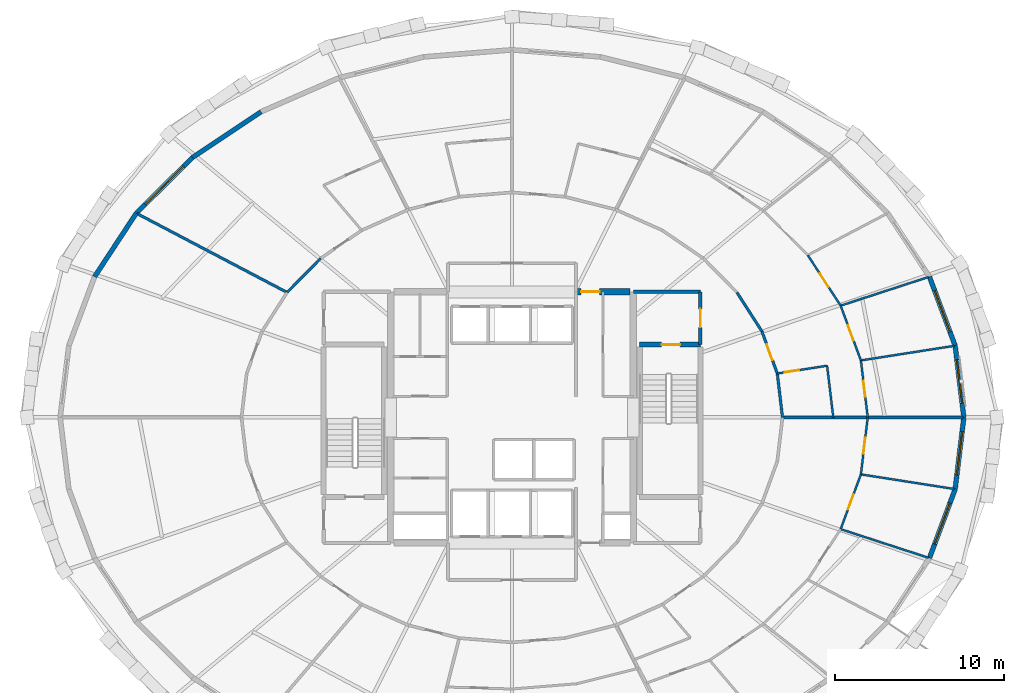
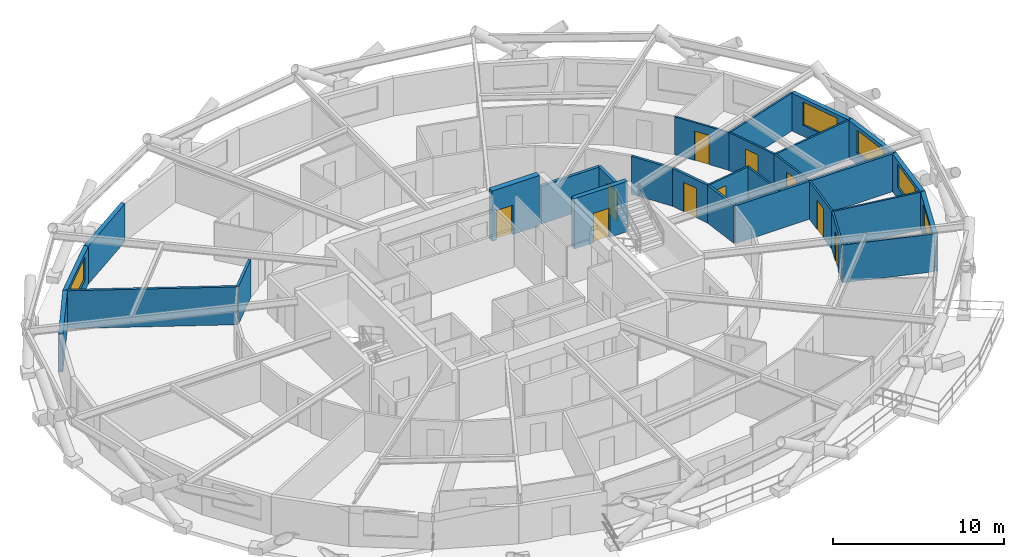
# One storey, part 10 of 14: 28 walls, 10 doors, 5 windows, 15 openings.
"""IFC4 building model written with IfcOpenShell, lengths in metres."""

import ifcopenshell
import ifcopenshell.guid

model = None  # the IFC model being written
_history = None  # IfcOwnerHistory: only IFC2X3 demands one
_inside = {}  # id of a spatial element -> (the spatial element, [elements in it])
_under = {}  # id of a project, library or spatial element -> (it, [spatial elements below it])
_declared = {}  # id of a project -> (the project, [libraries it declares])
_typed = {}  # id of a type object -> (the type object, [elements of that type])
_made_of = {}  # id of a material, layer set ... -> (it, [elements and type objects made of it])


def new_model(schema):
    """Start an empty IFC model of exactly this schema.

    Asked for "IFC4X3", IfcOpenShell would pick the latest addendum, in which some entities
    have other attributes; the version numbers below select the first issue.
    IFC2X3 requires an IfcOwnerHistory on every rooted entity: one is made here for all.
    """
    global model, _history
    if schema == "IFC4X3":
        model = ifcopenshell.file(schema_version=(4, 3, 0, 0))
    else:
        model = ifcopenshell.file(schema=schema)
    _inside.clear()
    _under.clear()
    _declared.clear()
    _typed.clear()
    _made_of.clear()
    _history = None
    if model.schema == "IFC2X3":
        org = make("IfcOrganization", Name="unknown")
        user = make(
            "IfcPersonAndOrganization",
            ThePerson=make("IfcPerson", FamilyName="unknown"),
            TheOrganization=org,
        )
        app = make(
            "IfcApplication",
            ApplicationDeveloper=org,
            Version="unknown",
            ApplicationFullName="unknown",
            ApplicationIdentifier="unknown",
        )
        _history = make(
            "IfcOwnerHistory",
            OwningUser=user,
            OwningApplication=app,
            ChangeAction="ADDED",
            CreationDate=0,
        )
    return model


def make(cls, **values):
    """One entity of the class cls with the attributes given. An attribute that is None is left unset."""
    return model.create_entity(
        cls, **{name: value for name, value in values.items() if value is not None}
    )


def rooted(cls, **values):
    """An entity with a GlobalId (a new one), such as an element, a storey or a relation."""
    return make(cls, GlobalId=ifcopenshell.guid.new(), OwnerHistory=_history, **values)


def si_unit(unit_type, name, prefix=None):
    """IfcSIUnit, for example si_unit("LENGTHUNIT", "METRE", prefix="MILLI")."""
    return make("IfcSIUnit", UnitType=unit_type, Prefix=prefix, Name=name)


def assignment(units):
    """IfcUnitAssignment: the units of a project."""
    return None if units is None else make("IfcUnitAssignment", Units=units)


def point(xyz):
    """IfcCartesianPoint."""
    return None if xyz is None else make("IfcCartesianPoint", Coordinates=xyz)


def direction(xyz):
    """IfcDirection."""
    return None if xyz is None else make("IfcDirection", DirectionRatios=xyz)


def frame(location, z_axis=None, x_axis=None):
    """IfcAxis2Placement3D, a coordinate frame: its origin and axes. An axis left out is left unset."""
    return make(
        "IfcAxis2Placement3D",
        Location=point(location),
        Axis=direction(z_axis),
        RefDirection=direction(x_axis),
    )


def frame_2d(location, x_axis=None):
    """IfcAxis2Placement2D, a coordinate frame in the plane: its origin and x axis."""
    return make(
        "IfcAxis2Placement2D", Location=point(location), RefDirection=direction(x_axis)
    )


def origin():
    """The frame at (0, 0, 0) with its axes left unset."""
    return frame((0.0, 0.0, 0.0))


def place(relative_to, where):
    """IfcLocalPlacement: puts the frame where relative to a parent placement (None: the world)."""
    return make(
        "IfcLocalPlacement", PlacementRelTo=relative_to, RelativePlacement=where
    )


def context(
    kind, dimensions, precision=None, world=None, true_north=None, identifier=None
):
    """IfcGeometricRepresentationContext, for example the 3D "Model" context."""
    return make(
        "IfcGeometricRepresentationContext",
        ContextIdentifier=identifier,
        ContextType=kind,
        CoordinateSpaceDimension=dimensions,
        Precision=precision,
        WorldCoordinateSystem=world,
        TrueNorth=true_north,
    )


def subcontext(parent, identifier, kind, view, scale=None):
    """IfcGeometricRepresentationSubContext, for example "Body" below "Model"."""
    return make(
        "IfcGeometricRepresentationSubContext",
        ContextIdentifier=identifier,
        ContextType=kind,
        ParentContext=parent,
        TargetScale=scale,
        TargetView=view,
    )


def project(units=None, contexts=None):
    """IfcProject with its units and contexts."""
    return rooted(
        "IfcProject",
        Name="project",
        RepresentationContexts=contexts,
        UnitsInContext=assignment(units),
    )


def spatial(cls, under=None, at=None, **own):
    """A site, building, storey or space (cls), placed at a placement, below another one or the project."""
    s = rooted(cls, ObjectPlacement=at, **own)
    if under is not None:
        _under.setdefault(under.id(), (under, []))[1].append(s)
    return s


def profile(cls, at=None, kind="AREA", **sizes):
    """A parametric profile (cls). Its sizes go by their IFC names, for example OverallWidth=200.0."""
    return make(cls, ProfileType=kind, Position=at, **sizes)


def rectangle(**sizes):
    """IfcRectangleProfileDef."""
    return profile("IfcRectangleProfileDef", **sizes)


def extrude(swept, where, along, depth):
    """IfcExtrudedAreaSolid: the profile swept, set in the frame where, extruded along a direction by depth."""
    return make(
        "IfcExtrudedAreaSolid",
        SweptArea=swept,
        Position=where,
        ExtrudedDirection=direction(along),
        Depth=depth,
    )


def shape(context_of_items, identifier, shape_type, items):
    """IfcShapeRepresentation: the items that make up one representation, for example the "Body"."""
    return make(
        "IfcShapeRepresentation",
        ContextOfItems=context_of_items,
        RepresentationIdentifier=identifier,
        RepresentationType=shape_type,
        Items=items,
    )


def material(Name=None, Category=None):
    """IfcMaterial."""
    return make("IfcMaterial", Name=Name, Category=Category)


def layer(
    of_material, thickness, ventilated=None, Name=None, Category=None, Priority=None
):
    """IfcMaterialLayer: one layer of a wall or slab, of a material (None: an air gap)."""
    return make(
        "IfcMaterialLayer",
        Material=of_material,
        LayerThickness=thickness,
        IsVentilated=ventilated,
        Name=Name,
        Category=Category,
        Priority=Priority,
    )


def layer_set(layers, Name=None):
    """IfcMaterialLayerSet."""
    return make("IfcMaterialLayerSet", MaterialLayers=layers, LayerSetName=Name)


def made_of(thing, what):
    """Note that an element or type object is made of a material, layer set ...; save() writes the relation."""
    if what is not None:
        _made_of.setdefault(what.id(), (what, []))[1].append(thing)
    return thing


def type_object(cls, material=None, **own):
    """A type object (cls), such as IfcWallType, which elements share."""
    return made_of(rooted(cls, **own), material)


def element(
    cls,
    number,
    at=None,
    inside=None,
    cuts=None,
    type_object=None,
    material=None,
    context=None,
    identifier="Body",
    shape_type=None,
    held_by="IfcProductDefinitionShape",
    body=None,
    shapes=None,
    **own,
):
    """One element of the class cls, such as IfcWall. Its Tag is "e" and its number.

    at: its placement. inside: the storey or other place that contains it. cuts: it is an
    opening in that element (IfcRelVoidsElement). A single representation is given by context,
    identifier, shape_type and body (its items); several are given by shapes. held_by: the class
    of the entity that holds the representations. save() writes the other relations.
    """
    e = rooted(cls, Tag="e%d" % number, ObjectPlacement=at, **own)
    if body is not None:
        shapes = [shape(context, identifier, shape_type, body)]
    if shapes is not None:
        e.Representation = make(held_by, Representations=shapes)
    if inside is not None:
        _inside.setdefault(inside.id(), (inside, []))[1].append(e)
    if cuts is not None:
        rooted(
            "IfcRelVoidsElement", RelatingBuildingElement=cuts, RelatedOpeningElement=e
        )
    if type_object is not None:
        _typed.setdefault(type_object.id(), (type_object, []))[1].append(e)
    return made_of(e, material)


def fill(opening, filler):
    """IfcRelFillsElement: the door or window that sits in an opening."""
    return rooted(
        "IfcRelFillsElement",
        RelatingOpeningElement=opening,
        RelatedBuildingElement=filler,
    )


def aggregate(whole, parts):
    """IfcRelAggregates: a whole, such as a stair, and the parts it consists of."""
    return rooted("IfcRelAggregates", RelatingObject=whole, RelatedObjects=parts)


def save(model, path):
    """Write the relations noted so far, then the file.

    IfcRelAggregates (storeys below a building ...), IfcRelContainedInSpatialStructure (elements
    in a storey), IfcRelDefinesByType, IfcRelAssociatesMaterial and IfcRelDeclares: one each for
    every whole, place, type object, material and project.
    """
    for whole, parts in _under.values():
        aggregate(whole, parts)
    for where, things in _inside.values():
        rooted(
            "IfcRelContainedInSpatialStructure",
            RelatedElements=things,
            RelatingStructure=where,
        )
    for kind, things in _typed.values():
        rooted("IfcRelDefinesByType", RelatedObjects=things, RelatingType=kind)
    for what, things in _made_of.values():
        rooted("IfcRelAssociatesMaterial", RelatedObjects=things, RelatingMaterial=what)
    for by, libraries in _declared.values():
        rooted("IfcRelDeclares", RelatingContext=by, RelatedDefinitions=libraries)
    model.write(path)


model = new_model("IFC4")

# Units and contexts
model_context = context("Model", 3, precision=1e-05, world=origin(), true_north=direction((0.0, 1.0)))
body_context = subcontext(model_context, "Body", "Model", "MODEL_VIEW")
ifc_project = project(units=[si_unit("LENGTHUNIT", "METRE"), si_unit("AREAUNIT", "SQUARE_METRE"), si_unit("VOLUMEUNIT", "CUBIC_METRE"), si_unit("PLANEANGLEUNIT", "RADIAN"), si_unit("MASSUNIT", "GRAM", prefix="KILO")], contexts=[model_context])

# Site, building, storey
site_placement = place(None, origin())
site = spatial("IfcSite", under=ifc_project, at=site_placement, CompositionType="ELEMENT")
building_placement = place(site_placement, origin())
building = spatial("IfcBuilding", under=site, at=building_placement, Name="Veldorina Hangang Commons", CompositionType="ELEMENT")
storey_placement = place(building_placement, frame((0.0, 0.0, 62.800048828125)))
storey = spatial("IfcBuildingStorey", under=building, at=storey_placement, Name="L15", CompositionType="ELEMENT", Elevation=62.800048828125)

# Wall, opening, door
ifc_material_1 = material(Name="Concrete C70/85", Category="concrete")
ifc_layer_1 = layer(ifc_material_1, 0.3798828125)
ifc_layer_set_1 = layer_set([ifc_layer_1], Name="Concrete C70/85")
wall_type_1 = type_object("IfcWallType", Name="CW-RC380-C70", PredefinedType="SHEAR", material=ifc_layer_set_1)
wall_1_placement = place(storey_placement, frame((35.800048828125, 31.449951171875, 0.0), z_axis=(0.0, 0.0, 1.0), x_axis=(1.0, 0.0, 0.0)))
wall_1 = element("IfcWall", 1, at=wall_1_placement, inside=storey, type_object=wall_type_1, Name="L15 north-east core shear wall", PredefinedType="SHEAR", context=body_context, shape_type="SweptSolid", body=[
    extrude(rectangle(XDim=3.2099609375, YDim=0.3798828125, at=frame_2d((1.60498046875, 0.0))), origin(), (0.0, 0.0, 1.0), 3.599853515625),
])
opening_1_placement = place(wall_1_placement, frame((0.300048828125, 0.0, 0.0)))
opening_1 = element("IfcOpeningElement", 2, at=opening_1_placement, cuts=wall_1, Name="Opening D-08", PredefinedType="OPENING", context=body_context, shape_type="SweptSolid", body=[
    extrude(rectangle(XDim=1.10009765625, YDim=2.10009765625, at=frame_2d((0.550048828125, 1.050048828125))), frame((0.0, 0.199951171875, 0.0), z_axis=(0.0, -1.0, 0.0), x_axis=(1.0, 0.0, 0.0)), (0.0, 0.0, 1.0), 0.39990234375),
])
ifc_material_2 = material(Name="Steel Fire-Rated Smoke Seal", Category="steel")
door_type_1 = type_object("IfcDoorType", Name="DR-FIRE-1100", OperationType="SINGLE_SWING_RIGHT", PredefinedType="DOOR", material=ifc_material_2)
door_1_placement = place(opening_1_placement, origin())
door_1 = element("IfcDoor", 3, at=door_1_placement, inside=storey, type_object=door_type_1, Name="L15 central lift lobby north corridor door", OperationType="SINGLE_SWING_LEFT", OverallHeight=2.10009765625, OverallWidth=1.10009765625, PredefinedType="DOOR", context=body_context, shape_type="SweptSolid", body=[
    extrude(rectangle(XDim=1.10009765625, YDim=2.10009765625, at=frame_2d((0.550048828125, 1.050048828125))), frame((0.0, 0.02490234375, 0.0), z_axis=(0.0, -1.0, 0.0), x_axis=(1.0, 0.0, 0.0)), (0.0, 0.0, 1.0), 0.050048828125),
])
fill(opening_1, door_1)

# Wall, opening, window
ifc_material_3 = material(Name="Stone Roman Travertine", Category="masonry")
ifc_layer_2 = layer(ifc_material_3, 0.280029296875)
ifc_layer_set_2 = layer_set([ifc_layer_2], Name="Stone Roman Travertine")
wall_type_2 = type_object("IfcWallType", Name="EW-TRAV-280", PredefinedType="STANDARD", material=ifc_layer_set_2)
wall_2_placement = place(storey_placement, frame((58.81005859375, 24.0, 0.0), z_axis=(0.0, 0.0, 1.0), x_axis=(-0.120191871487, 0.992750680699, 0.0)))
wall_2 = element("IfcWall", 4, at=wall_2_placement, inside=storey, type_object=wall_type_2, Name="L15 travertine facade wall 00", PredefinedType="STANDARD", context=body_context, shape_type="SweptSolid", body=[
    extrude(rectangle(XDim=4.285888671875, YDim=0.280029296875, at=frame_2d((2.14306640625, 0.0))), origin(), (0.0, 0.0, 1.0), 2.7099609375),
])
opening_2_placement = place(wall_2_placement, frame((0.843017578125, 0.0, 0.800048828125)))
opening_2 = element("IfcOpeningElement", 5, at=opening_2_placement, cuts=wall_2, Name="Opening W-02", PredefinedType="OPENING", context=body_context, shape_type="SweptSolid", body=[
    extrude(rectangle(XDim=2.60009765625, YDim=1.64990234375, at=frame_2d((1.300048828125, 0.824951171875))), frame((0.0, 0.14990234375, 0.0), z_axis=(0.0, -1.0, 0.0), x_axis=(1.0, 0.0, 0.0)), (0.0, 0.0, 1.0), 0.300048828125),
])
ifc_material_4 = material(Name="Glass Low-E Triple IGU", Category="glass")
window_type_1 = type_object("IfcWindowType", Name="WIN-TWR-2600", PartitioningType="SINGLE_PANEL", PredefinedType="WINDOW", material=ifc_material_4)
window_1_placement = place(opening_2_placement, origin())
window_1 = element("IfcWindow", 6, at=window_1_placement, inside=storey, type_object=window_type_1, Name="L15 facade window 00", OverallHeight=1.64990234375, OverallWidth=2.60009765625, PartitioningType="SINGLE_PANEL", PredefinedType="WINDOW", context=body_context, shape_type="SweptSolid", body=[
    extrude(rectangle(XDim=2.60009765625, YDim=1.64990234375, at=frame_2d((1.300048828125, 0.824951171875))), frame((0.0, 0.030029296875, 0.0), z_axis=(0.0, -1.0, 0.0), x_axis=(1.0, 0.0, 0.0)), (0.0, 0.0, 1.0), 0.06005859375),
])
fill(opening_2, window_1)

wall_3_placement = place(storey_placement, frame((58.294921875, 28.2548828125, 0.0), z_axis=(0.0, 0.0, 1.0), x_axis=(-0.349376625654, 0.936982376273, 0.0)))
wall_3 = element("IfcWall", 7, at=wall_3_placement, inside=storey, type_object=wall_type_2, Name="L15 travertine facade wall 01", PredefinedType="STANDARD", context=body_context, shape_type="SweptSolid", body=[
    extrude(rectangle(XDim=4.36669921875, YDim=0.280029296875, at=frame_2d((2.183349609375, 0.0))), origin(), (0.0, 0.0, 1.0), 2.7099609375),
])
opening_3_placement = place(wall_3_placement, frame((0.88330078125, 0.0, 0.800048828125)))
opening_3 = element("IfcOpeningElement", 8, at=opening_3_placement, cuts=wall_3, Name="Opening W-02", PredefinedType="OPENING", context=body_context, shape_type="SweptSolid", body=[
    extrude(rectangle(XDim=2.60009765625, YDim=1.64990234375, at=frame_2d((1.300048828125, 0.824951171875))), frame((0.0, 0.14990234375, 0.0), z_axis=(0.0, -1.0, 0.0), x_axis=(1.0, 0.0, 0.0)), (0.0, 0.0, 1.0), 0.300048828125),
])
window_2_placement = place(opening_3_placement, origin())
window_2 = element("IfcWindow", 9, at=window_2_placement, inside=storey, type_object=window_type_1, Name="L15 facade window 01", OverallHeight=1.64990234375, OverallWidth=2.60009765625, PartitioningType="SINGLE_PANEL", PredefinedType="WINDOW", context=body_context, shape_type="SweptSolid", body=[
    extrude(rectangle(XDim=2.60009765625, YDim=1.64990234375, at=frame_2d((1.300048828125, 0.824951171875))), frame((0.0, 0.030029296875, 0.0), z_axis=(0.0, -1.0, 0.0), x_axis=(1.0, 0.0, 0.0)), (0.0, 0.0, 1.0), 0.06005859375),
])
fill(opening_3, window_2)

# Wall
wall_4_placement = place(storey_placement, frame((17.10498046875, 42.134521484375, 0.0), z_axis=(0.0, 0.0, 1.0), x_axis=(-0.831665633672, -0.555276754213, 0.0)))
element("IfcWall", 10, at=wall_4_placement, inside=storey, type_object=wall_type_2, Name="L15 travertine facade wall 11", PredefinedType="STANDARD", context=body_context, shape_type="SweptSolid", body=[
    extrude(rectangle(XDim=4.884765625, YDim=0.280029296875, at=frame_2d((2.4423828125, 0.0))), origin(), (0.0, 0.0, 1.0), 2.7099609375),
])

# Wall, opening, window
wall_5_placement = place(storey_placement, frame((13.04248046875, 39.422119140625, 0.0), z_axis=(0.0, 0.0, 1.0), x_axis=(-0.710194142887, -0.704005880238, 0.0)))
wall_5 = element("IfcWall", 11, at=wall_5_placement, inside=storey, type_object=wall_type_2, Name="L15 travertine facade wall 12", PredefinedType="STANDARD", context=body_context, shape_type="SweptSolid", body=[
    extrude(rectangle(XDim=4.69482421875, YDim=0.280029296875, at=frame_2d((2.347412109375, 0.0))), origin(), (0.0, 0.0, 1.0), 2.7099609375),
])
opening_4_placement = place(wall_5_placement, frame((0.747314453125, 0.0, 0.800048828125)))
opening_4 = element("IfcOpeningElement", 12, at=opening_4_placement, cuts=wall_5, Name="Opening W-01", PredefinedType="OPENING", context=body_context, shape_type="SweptSolid", body=[
    extrude(rectangle(XDim=3.199951171875, YDim=1.64990234375, at=frame_2d((1.60009765625, 0.824951171875))), frame((0.0, 0.14990234375, 0.0), z_axis=(0.0, -1.0, 0.0), x_axis=(1.0, 0.0, 0.0)), (0.0, 0.0, 1.0), 0.300048828125),
])
window_type_2 = type_object("IfcWindowType", Name="WIN-TWR-3200", PartitioningType="SINGLE_PANEL", PredefinedType="WINDOW", material=ifc_material_4)
window_3_placement = place(opening_4_placement, origin())
window_3 = element("IfcWindow", 13, at=window_3_placement, inside=storey, type_object=window_type_2, Name="L15 facade window 12", OverallHeight=1.64990234375, OverallWidth=3.199951171875, PartitioningType="SINGLE_PANEL", PredefinedType="WINDOW", context=body_context, shape_type="SweptSolid", body=[
    extrude(rectangle(XDim=3.199951171875, YDim=1.64990234375, at=frame_2d((1.60009765625, 0.824951171875))), frame((0.0, 0.030029296875, 0.0), z_axis=(0.0, -1.0, 0.0), x_axis=(1.0, 0.0, 0.0)), (0.0, 0.0, 1.0), 0.06005859375),
])
fill(opening_4, window_3)

# Wall
wall_6_placement = place(storey_placement, frame((9.708251953125, 36.116943359375, 0.0), z_axis=(0.0, 0.0, 1.0), x_axis=(-0.54914333256, -0.835728185659, 0.0)))
element("IfcWall", 14, at=wall_6_placement, inside=storey, type_object=wall_type_2, Name="L15 travertine facade wall 13", PredefinedType="STANDARD", context=body_context, shape_type="SweptSolid", body=[
    extrude(rectangle(XDim=4.51171875, YDim=0.280029296875, at=frame_2d((2.255859375, 0.0))), origin(), (0.0, 0.0, 1.0), 2.7099609375),
])

# Wall, opening, window
wall_7_placement = place(storey_placement, frame((56.769287109375, 15.653564453125, 0.0), z_axis=(0.0, 0.0, 1.0), x_axis=(0.349376625654, 0.936982376273, 0.0)))
wall_7 = element("IfcWall", 15, at=wall_7_placement, inside=storey, type_object=wall_type_2, Name="L15 travertine facade wall 30", PredefinedType="STANDARD", context=body_context, shape_type="SweptSolid", body=[
    extrude(rectangle(XDim=4.36669921875, YDim=0.280029296875, at=frame_2d((2.183349609375, 0.0))), origin(), (0.0, 0.0, 1.0), 2.7099609375),
])
opening_5_placement = place(wall_7_placement, frame((0.88330078125, 0.0, 0.800048828125)))
opening_5 = element("IfcOpeningElement", 16, at=opening_5_placement, cuts=wall_7, Name="Opening W-02", PredefinedType="OPENING", context=body_context, shape_type="SweptSolid", body=[
    extrude(rectangle(XDim=2.60009765625, YDim=1.64990234375, at=frame_2d((1.300048828125, 0.824951171875))), frame((0.0, 0.14990234375, 0.0), z_axis=(0.0, -1.0, 0.0), x_axis=(1.0, 0.0, 0.0)), (0.0, 0.0, 1.0), 0.300048828125),
])
window_4_placement = place(opening_5_placement, origin())
window_4 = element("IfcWindow", 17, at=window_4_placement, inside=storey, type_object=window_type_1, Name="L15 facade window 30", OverallHeight=1.64990234375, OverallWidth=2.60009765625, PartitioningType="SINGLE_PANEL", PredefinedType="WINDOW", context=body_context, shape_type="SweptSolid", body=[
    extrude(rectangle(XDim=2.60009765625, YDim=1.64990234375, at=frame_2d((1.300048828125, 0.824951171875))), frame((0.0, 0.030029296875, 0.0), z_axis=(0.0, -1.0, 0.0), x_axis=(1.0, 0.0, 0.0)), (0.0, 0.0, 1.0), 0.06005859375),
])
fill(opening_5, window_4)

wall_8_placement = place(storey_placement, frame((58.294921875, 19.7451171875, 0.0), z_axis=(0.0, 0.0, 1.0), x_axis=(0.120191871487, 0.992750680699, 0.0)))
wall_8 = element("IfcWall", 18, at=wall_8_placement, inside=storey, type_object=wall_type_2, Name="L15 travertine facade wall 31", PredefinedType="STANDARD", context=body_context, shape_type="SweptSolid", body=[
    extrude(rectangle(XDim=4.285888671875, YDim=0.280029296875, at=frame_2d((2.14306640625, 0.0))), origin(), (0.0, 0.0, 1.0), 2.7099609375),
])
opening_6_placement = place(wall_8_placement, frame((0.843017578125, 0.0, 0.800048828125)))
opening_6 = element("IfcOpeningElement", 19, at=opening_6_placement, cuts=wall_8, Name="Opening W-02", PredefinedType="OPENING", context=body_context, shape_type="SweptSolid", body=[
    extrude(rectangle(XDim=2.60009765625, YDim=1.64990234375, at=frame_2d((1.300048828125, 0.824951171875))), frame((0.0, 0.14990234375, 0.0), z_axis=(0.0, -1.0, 0.0), x_axis=(1.0, 0.0, 0.0)), (0.0, 0.0, 1.0), 0.300048828125),
])
window_5_placement = place(opening_6_placement, origin())
window_5 = element("IfcWindow", 20, at=window_5_placement, inside=storey, type_object=window_type_1, Name="L15 facade window 31", OverallHeight=1.64990234375, OverallWidth=2.60009765625, PartitioningType="SINGLE_PANEL", PredefinedType="WINDOW", context=body_context, shape_type="SweptSolid", body=[
    extrude(rectangle(XDim=2.60009765625, YDim=1.64990234375, at=frame_2d((1.300048828125, 0.824951171875))), frame((0.0, 0.030029296875, 0.0), z_axis=(0.0, -1.0, 0.0), x_axis=(1.0, 0.0, 0.0)), (0.0, 0.0, 1.0), 0.06005859375),
])
fill(opening_6, window_5)

# Wall, opening, door
ifc_material_5 = material(Name="Concrete C50/60", Category="concrete")
ifc_layer_3 = layer(ifc_material_5, 0.300048828125)
ifc_layer_set_3 = layer_set([ifc_layer_3], Name="Concrete C50/60")
wall_type_3 = type_object("IfcWallType", Name="SW-STAIR-300", PredefinedType="SHEAR", material=ifc_layer_set_3)
wall_9_placement = place(storey_placement, frame((39.580078125, 28.320068359375, 0.0), z_axis=(0.0, 0.0, 1.0), x_axis=(1.0, 0.0, 0.0)))
wall_9 = element("IfcWall", 21, at=wall_9_placement, inside=storey, type_object=wall_type_3, Name="L15 ST2 north stair shear wall", PredefinedType="SHEAR", context=body_context, shape_type="SweptSolid", body=[
    extrude(rectangle(XDim=3.599853515625, YDim=0.300048828125, at=frame_2d((1.7998046875, 0.0))), origin(), (0.0, 0.0, 1.0), 3.599853515625),
])
opening_7_placement = place(wall_9_placement, frame((1.300048828125, 0.0, 0.0)))
opening_7 = element("IfcOpeningElement", 22, at=opening_7_placement, cuts=wall_9, Name="Opening D-08", PredefinedType="OPENING", context=body_context, shape_type="SweptSolid", body=[
    extrude(rectangle(XDim=1.10009765625, YDim=2.10009765625, at=frame_2d((0.550048828125, 1.050048828125))), frame((0.0, 0.16015625, 0.0), z_axis=(0.0, -1.0, 0.0), x_axis=(1.0, 0.0, 0.0)), (0.0, 0.0, 1.0), 0.320068359375),
])
door_2_placement = place(opening_7_placement, origin())
door_2 = element("IfcDoor", 23, at=door_2_placement, inside=storey, type_object=door_type_1, Name="L15 Special Escape Stair ST-2 door", OperationType="SINGLE_SWING_RIGHT", OverallHeight=2.10009765625, OverallWidth=1.10009765625, PredefinedType="DOOR", context=body_context, shape_type="SweptSolid", body=[
    extrude(rectangle(XDim=1.10009765625, YDim=2.10009765625, at=frame_2d((0.550048828125, 1.050048828125))), frame((0.0, 0.02490234375, 0.0), z_axis=(0.0, -1.0, 0.0), x_axis=(1.0, 0.0, 0.0)), (0.0, 0.0, 1.0), 0.050048828125),
])
fill(opening_7, door_2)

# Wall
ifc_material_6 = material(Name="Gypsum Fire-Rated Twin Stud Wall", Category="gypsum")
ifc_layer_4 = layer(ifc_material_6, 0.159912109375)
ifc_layer_set_4 = layer_set([ifc_layer_4], Name="Gypsum Fire-Rated Twin Stud Wall")
wall_type_4 = type_object("IfcWallType", Name="WL-FIRE-160", PredefinedType="SOLIDWALL", material=ifc_layer_set_4)
wall_10_placement = place(storey_placement, frame((48.050048828125, 24.0, 0.0), z_axis=(0.0, 0.0, 1.0), x_axis=(-0.117570353762, 0.993064555765, 0.0)))
element("IfcWall", 24, at=wall_10_placement, inside=storey, type_object=wall_type_4, Name="L15 Corridor outer wall 00 048", PredefinedType="SOLIDWALL", context=body_context, shape_type="SweptSolid", body=[
    extrude(rectangle(XDim=2.622802734375, YDim=0.159912109375, at=frame_2d((1.3115234375, 0.0))), origin(), (0.0, 0.0, 1.0), 2.7099609375),
])

# Wall, opening, door
wall_11_placement = place(storey_placement, frame((47.74169921875, 26.6044921875, 0.0), z_axis=(0.0, 0.0, 1.0), x_axis=(-0.342617982381, 0.939474809747, 0.0)))
wall_11 = element("IfcWall", 25, at=wall_11_placement, inside=storey, type_object=wall_type_4, Name="L15 Corridor outer wall 01 049", PredefinedType="SOLIDWALL", context=body_context, shape_type="SweptSolid", body=[
    extrude(rectangle(XDim=2.665771484375, YDim=0.159912109375, at=frame_2d((1.3330078125, 0.0))), origin(), (0.0, 0.0, 1.0), 2.7099609375),
])
opening_8_placement = place(wall_11_placement, frame((0.832763671875, 0.0, 0.0)))
opening_8 = element("IfcOpeningElement", 26, at=opening_8_placement, cuts=wall_11, Name="Opening D-06", PredefinedType="OPENING", context=body_context, shape_type="SweptSolid", body=[
    extrude(rectangle(XDim=1.0, YDim=2.10009765625, at=frame_2d((0.5, 1.050048828125))), frame((0.0, 0.08984375, 0.0), z_axis=(0.0, -1.0, 0.0), x_axis=(1.0, 0.0, 0.0)), (0.0, 0.0, 1.0), 0.179931640625),
])
ifc_material_7 = material(Name="Timber Fire-Rated Entrance Core", Category="wood")
door_type_2 = type_object("IfcDoorType", Name="DR-UNIT-1000", OperationType="SINGLE_SWING_LEFT", PredefinedType="DOOR", material=ifc_material_7)
door_3_placement = place(opening_8_placement, origin())
door_3 = element("IfcDoor", 27, at=door_3_placement, inside=storey, type_object=door_type_2, Name="L15 Cluster 3 entrance door 031", OperationType="SINGLE_SWING_LEFT", OverallHeight=2.10009765625, OverallWidth=1.0, PredefinedType="DOOR", context=body_context, shape_type="SweptSolid", body=[
    extrude(rectangle(XDim=1.0, YDim=2.10009765625, at=frame_2d((0.5, 1.050048828125))), frame((0.0, 0.02490234375, 0.0), z_axis=(0.0, -1.0, 0.0), x_axis=(1.0, 0.0, 0.0)), (0.0, 0.0, 1.0), 0.050048828125),
])
fill(opening_8, door_3)

# Walls
wall_12_placement = place(storey_placement, frame((46.828369140625, 29.10888671875, 0.0), z_axis=(0.0, 0.0, 1.0), x_axis=(-0.540595670038, 0.841282545603, 0.0)))
element("IfcWall", 28, at=wall_12_placement, inside=storey, type_object=wall_type_4, Name="L15 Corridor outer wall 02 050", PredefinedType="SOLIDWALL", context=body_context, shape_type="SweptSolid", body=[
    extrude(rectangle(XDim=2.74365234375, YDim=0.159912109375, at=frame_2d((1.371826171875, 0.0))), origin(), (0.0, 0.0, 1.0), 2.7099609375),
])
wall_13_placement = place(storey_placement, frame((20.65087890625, 33.43994140625, 0.0), z_axis=(0.0, 0.0, 1.0), x_axis=(-0.702366174226, -0.711815816981, 0.0)))
element("IfcWall", 29, at=wall_13_placement, inside=storey, type_object=wall_type_4, Name="L15 Corridor outer wall 12 060", PredefinedType="SOLIDWALL", context=body_context, shape_type="SweptSolid", body=[
    extrude(rectangle(XDim=2.842041015625, YDim=0.159912109375, at=frame_2d((1.4208984375, 0.0))), origin(), (0.0, 0.0, 1.0), 2.7099609375),
])
wall_14_placement = place(storey_placement, frame((48.050048828125, 24.0, 0.0), z_axis=(0.0, 0.0, 1.0), x_axis=(1.0, 0.0, 0.0)))
element("IfcWall", 30, at=wall_14_placement, inside=storey, type_object=wall_type_4, Name="L15 Unit party wall 00 098", PredefinedType="SOLIDWALL", context=body_context, shape_type="SweptSolid", body=[
    extrude(rectangle(XDim=10.7099609375, YDim=0.159912109375, at=frame_2d((5.35498046875, 0.0))), origin(), (0.0, 0.0, 1.0), 2.7099609375),
])
wall_15_placement = place(storey_placement, frame((18.65478515625, 31.4169921875, 0.0), z_axis=(0.0, 0.0, 1.0), x_axis=(-0.885273971372, 0.465069882503, 0.0)))
element("IfcWall", 31, at=wall_15_placement, inside=storey, type_object=wall_type_4, Name="L15 Unit party wall 13 121", PredefinedType="SOLIDWALL", context=body_context, shape_type="SweptSolid", body=[
    extrude(rectangle(XDim=10.05615234375, YDim=0.159912109375, at=frame_2d((5.028076171875, 0.0))), origin(), (0.0, 0.0, 1.0), 2.7099609375),
])

# Wall, opening, door
ifc_material_8 = material(Name="Concrete Blockwork Fire Wall C30/37", Category="masonry")
ifc_layer_5 = layer(ifc_material_8, 0.199951171875)
ifc_layer_set_5 = layer_set([ifc_layer_5], Name="Concrete Blockwork Fire Wall C30/37")
wall_type_5 = type_object("IfcWallType", Name="WL-FIRE-200", PredefinedType="SOLIDWALL", material=ifc_layer_set_5)
wall_16_placement = place(storey_placement, frame((43.179931640625, 28.320068359375, 0.0), z_axis=(0.0, 0.0, 1.0), x_axis=(0.0, 1.0, 0.0)))
wall_16 = element("IfcWall", 32, at=wall_16_placement, inside=storey, type_object=wall_type_5, Name="L15 East vestibule outer wall 003", PredefinedType="SOLIDWALL", context=body_context, shape_type="SweptSolid", body=[
    extrude(rectangle(XDim=3.1298828125, YDim=0.199951171875, at=frame_2d((1.56494140625, 0.0))), origin(), (0.0, 0.0, 1.0), 2.7099609375),
])
opening_9_placement = place(wall_16_placement, frame((1.014892578125, 0.0, 0.0)))
opening_9 = element("IfcOpeningElement", 33, at=opening_9_placement, cuts=wall_16, Name="Opening D-08", PredefinedType="OPENING", context=body_context, shape_type="SweptSolid", body=[
    extrude(rectangle(XDim=1.10009765625, YDim=2.10009765625, at=frame_2d((0.550048828125, 1.050048828125))), frame((0.0, 0.10986328125, 0.0), z_axis=(0.0, -1.0, 0.0), x_axis=(1.0, 0.0, 0.0)), (0.0, 0.0, 1.0), 0.219970703125),
])
door_4_placement = place(opening_9_placement, origin())
door_4 = element("IfcDoor", 34, at=door_4_placement, inside=storey, type_object=door_type_1, Name="L15 East vestibule east door 002", OperationType="SINGLE_SWING_RIGHT", OverallHeight=2.10009765625, OverallWidth=1.10009765625, PredefinedType="DOOR", context=body_context, shape_type="SweptSolid", body=[
    extrude(rectangle(XDim=1.10009765625, YDim=2.10009765625, at=frame_2d((0.550048828125, 1.050048828125))), frame((0.0, 0.02490234375, 0.0), z_axis=(0.0, -1.0, 0.0), x_axis=(1.0, 0.0, 0.0)), (0.0, 0.0, 1.0), 0.050048828125),
])
fill(opening_9, door_4)

# Wall
wall_17_placement = place(storey_placement, frame((39.199951171875, 31.449951171875, 0.0), z_axis=(0.0, 0.0, 1.0), x_axis=(1.0, 0.0, 0.0)))
element("IfcWall", 35, at=wall_17_placement, inside=storey, type_object=wall_type_5, Name="L15 East vestibule north wall 004", PredefinedType="SOLIDWALL", context=body_context, shape_type="SweptSolid", body=[
    extrude(rectangle(XDim=3.97998046875, YDim=0.199951171875, at=frame_2d((1.989990234375, 0.0))), origin(), (0.0, 0.0, 1.0), 2.7099609375),
])

# Wall, opening, door
ifc_material_9 = material(Name="Gypsum Acoustic Stud Partition", Category="gypsum")
ifc_layer_6 = layer(ifc_material_9, 0.1201171875)
ifc_layer_set_6 = layer_set([ifc_layer_6], Name="Gypsum Acoustic Stud Partition")
wall_type_6 = type_object("IfcWallType", Name="WL-PART-120", PredefinedType="PARTITIONING", material=ifc_layer_set_6)
wall_18_placement = place(storey_placement, frame((51.50048828125, 17.369384765625, 0.0), z_axis=(0.0, 0.0, 1.0), x_axis=(0.346625885205, 0.938003462523, 0.0)))
wall_18 = element("IfcWall", 36, at=wall_18_placement, inside=storey, type_object=wall_type_6, Name="L15 Cluster 2 bed 5 front wall 094", PredefinedType="PARTITIONING", context=body_context, shape_type="SweptSolid", body=[
    extrude(rectangle(XDim=3.46533203125, YDim=0.1201171875, at=frame_2d((1.732666015625, 0.0))), origin(), (0.0, 0.0, 1.0), 2.7099609375),
])
opening_10_placement = place(wall_18_placement, frame((1.257568359375, 0.0, 0.0)))
opening_10 = element("IfcOpeningElement", 37, at=opening_10_placement, cuts=wall_18, Name="Opening D-02", PredefinedType="OPENING", context=body_context, shape_type="SweptSolid", body=[
    extrude(rectangle(XDim=0.949951171875, YDim=2.10009765625, at=frame_2d((0.47509765625, 1.050048828125))), frame((0.0, 0.070068359375, 0.0), z_axis=(0.0, -1.0, 0.0), x_axis=(1.0, 0.0, 0.0)), (0.0, 0.0, 1.0), 0.14013671875),
])
ifc_material_10 = material(Name="Timber Solid Core Acoustic", Category="wood")
door_type_3 = type_object("IfcDoorType", Name="DR-INT-950", OperationType="SINGLE_SWING_LEFT", PredefinedType="DOOR", material=ifc_material_10)
door_5_placement = place(opening_10_placement, origin())
door_5 = element("IfcDoor", 38, at=door_5_placement, inside=storey, type_object=door_type_3, Name="L15 Cluster 2 bed 5 door 028", OperationType="SINGLE_SWING_RIGHT", OverallHeight=2.10009765625, OverallWidth=0.949951171875, PredefinedType="DOOR", context=body_context, shape_type="SweptSolid", body=[
    extrude(rectangle(XDim=0.949951171875, YDim=2.10009765625, at=frame_2d((0.47509765625, 1.050048828125))), frame((0.0, 0.02490234375, 0.0), z_axis=(0.0, -1.0, 0.0), x_axis=(1.0, 0.0, 0.0)), (0.0, 0.0, 1.0), 0.050048828125),
])
fill(opening_10, door_5)

# Wall
wall_19_placement = place(storey_placement, frame((51.50048828125, 17.369384765625, 0.0), z_axis=(0.0, 0.0, 1.0), x_axis=(0.950856820047, -0.309630921856, 0.0)))
element("IfcWall", 39, at=wall_19_placement, inside=storey, type_object=wall_type_6, Name="L15 Cluster 2 bed divider 4 095", PredefinedType="PARTITIONING", context=body_context, shape_type="SweptSolid", body=[
    extrude(rectangle(XDim=5.490966796875, YDim=0.1201171875, at=frame_2d((2.74560546875, 0.0))), origin(), (0.0, 0.0, 1.0), 2.7099609375),
])

# Wall, opening, door
wall_20_placement = place(storey_placement, frame((52.70166015625, 20.619873046875, 0.0), z_axis=(0.0, 0.0, 1.0), x_axis=(0.119116942182, 0.992880231491, 0.0)))
wall_20 = element("IfcWall", 40, at=wall_20_placement, inside=storey, type_object=wall_type_6, Name="L15 Cluster 2 bed 6 front wall 096", PredefinedType="PARTITIONING", context=body_context, shape_type="SweptSolid", body=[
    extrude(rectangle(XDim=3.404296875, YDim=0.1201171875, at=frame_2d((1.7021484375, 0.0))), origin(), (0.0, 0.0, 1.0), 2.7099609375),
])
opening_11_placement = place(wall_20_placement, frame((1.227294921875, 0.0, 0.0)))
opening_11 = element("IfcOpeningElement", 41, at=opening_11_placement, cuts=wall_20, Name="Opening D-02", PredefinedType="OPENING", context=body_context, shape_type="SweptSolid", body=[
    extrude(rectangle(XDim=0.949951171875, YDim=2.10009765625, at=frame_2d((0.47509765625, 1.050048828125))), frame((0.0, 0.070068359375, 0.0), z_axis=(0.0, -1.0, 0.0), x_axis=(1.0, 0.0, 0.0)), (0.0, 0.0, 1.0), 0.14013671875),
])
door_6_placement = place(opening_11_placement, origin())
door_6 = element("IfcDoor", 42, at=door_6_placement, inside=storey, type_object=door_type_3, Name="L15 Cluster 2 bed 6 door 029", OperationType="SINGLE_SWING_LEFT", OverallHeight=2.10009765625, OverallWidth=0.949951171875, PredefinedType="DOOR", context=body_context, shape_type="SweptSolid", body=[
    extrude(rectangle(XDim=0.949951171875, YDim=2.10009765625, at=frame_2d((0.47509765625, 1.050048828125))), frame((0.0, 0.02490234375, 0.0), z_axis=(0.0, -1.0, 0.0), x_axis=(1.0, 0.0, 0.0)), (0.0, 0.0, 1.0), 0.050048828125),
])
fill(opening_11, door_6)

# Walls
wall_21_placement = place(storey_placement, frame((52.70166015625, 20.619873046875, 0.0), z_axis=(0.0, 0.0, 1.0), x_axis=(0.987986304943, -0.154541454781, 0.0)))
element("IfcWall", 43, at=wall_21_placement, inside=storey, type_object=wall_type_6, Name="L15 Cluster 2 bed divider 5 097", PredefinedType="PARTITIONING", context=body_context, shape_type="SweptSolid", body=[
    extrude(rectangle(XDim=5.611328125, YDim=0.1201171875, at=frame_2d((2.8056640625, 0.0))), origin(), (0.0, 0.0, 1.0), 2.7099609375),
])
wall_22_placement = place(storey_placement, frame((51.062744140625, 24.0, 0.0), z_axis=(0.0, 0.0, 1.0), x_axis=(-0.118574770278, 0.992945126305, 0.0)))
element("IfcWall", 44, at=wall_22_placement, inside=storey, type_object=wall_type_6, Name="L15 Cluster 3 bath front wall 099", PredefinedType="PARTITIONING", context=body_context, shape_type="SweptSolid", body=[
    extrude(rectangle(XDim=3.08837890625, YDim=0.1201171875, at=frame_2d((1.544189453125, 0.0))), origin(), (0.0, 0.0, 1.0), 2.7099609375),
])

# Wall, opening, door
wall_23_placement = place(storey_placement, frame((47.74169921875, 26.6044921875, 0.0), z_axis=(0.0, 0.0, 1.0), x_axis=(0.987988287409, 0.154528780308, 0.0)))
wall_23 = element("IfcWall", 45, at=wall_23_placement, inside=storey, type_object=wall_type_6, Name="L15 Cluster 3 bath side wall 100", PredefinedType="PARTITIONING", context=body_context, shape_type="SweptSolid", body=[
    extrude(rectangle(XDim=2.99072265625, YDim=0.1201171875, at=frame_2d((1.495361328125, 0.0))), origin(), (0.0, 0.0, 1.0), 2.7099609375),
])
opening_12_placement = place(wall_23_placement, frame((0.43994140625, 0.0, 0.0)))
opening_12 = element("IfcOpeningElement", 46, at=opening_12_placement, cuts=wall_23, Name="Opening D-01", PredefinedType="OPENING", context=body_context, shape_type="SweptSolid", body=[
    extrude(rectangle(XDim=0.860107421875, YDim=2.10009765625, at=frame_2d((0.43017578125, 1.050048828125))), frame((0.0, 0.070068359375, 0.0), z_axis=(0.0, -1.0, 0.0), x_axis=(1.0, 0.0, 0.0)), (0.0, 0.0, 1.0), 0.14013671875),
])
ifc_material_11 = material(Name="Timber Moisture-Resistant Core", Category="wood")
door_type_4 = type_object("IfcDoorType", Name="DR-WET-860", OperationType="SINGLE_SWING_LEFT", PredefinedType="DOOR", material=ifc_material_11)
door_7_placement = place(opening_12_placement, origin())
door_7 = element("IfcDoor", 47, at=door_7_placement, inside=storey, type_object=door_type_4, Name="L15 Cluster 3 shared bathroom door 030", OperationType="SINGLE_SWING_RIGHT", OverallHeight=2.10009765625, OverallWidth=0.860107421875, PredefinedType="DOOR", context=body_context, shape_type="SweptSolid", body=[
    extrude(rectangle(XDim=0.860107421875, YDim=2.10009765625, at=frame_2d((0.43017578125, 1.050048828125))), frame((0.0, 0.02490234375, 0.0), z_axis=(0.0, -1.0, 0.0), x_axis=(1.0, 0.0, 0.0)), (0.0, 0.0, 1.0), 0.050048828125),
])
fill(opening_12, door_7)

wall_24_placement = place(storey_placement, frame((53.107177734375, 24.0, 0.0), z_axis=(0.0, 0.0, 1.0), x_axis=(-0.119116942182, 0.992880231491, 0.0)))
wall_24 = element("IfcWall", 48, at=wall_24_placement, inside=storey, type_object=wall_type_6, Name="L15 Cluster 3 bed 1 front wall 101", PredefinedType="PARTITIONING", context=body_context, shape_type="SweptSolid", body=[
    extrude(rectangle(XDim=3.404296875, YDim=0.1201171875, at=frame_2d((1.7021484375, 0.0))), origin(), (0.0, 0.0, 1.0), 2.7099609375),
])
opening_13_placement = place(wall_24_placement, frame((1.227294921875, 0.0, 0.0)))
opening_13 = element("IfcOpeningElement", 49, at=opening_13_placement, cuts=wall_24, Name="Opening D-02", PredefinedType="OPENING", context=body_context, shape_type="SweptSolid", body=[
    extrude(rectangle(XDim=0.949951171875, YDim=2.10009765625, at=frame_2d((0.47509765625, 1.050048828125))), frame((0.0, 0.070068359375, 0.0), z_axis=(0.0, -1.0, 0.0), x_axis=(1.0, 0.0, 0.0)), (0.0, 0.0, 1.0), 0.14013671875),
])
door_8_placement = place(opening_13_placement, origin())
door_8 = element("IfcDoor", 50, at=door_8_placement, inside=storey, type_object=door_type_3, Name="L15 Cluster 3 bed 1 door 032", OperationType="SINGLE_SWING_RIGHT", OverallHeight=2.10009765625, OverallWidth=0.949951171875, PredefinedType="DOOR", context=body_context, shape_type="SweptSolid", body=[
    extrude(rectangle(XDim=0.949951171875, YDim=2.10009765625, at=frame_2d((0.47509765625, 1.050048828125))), frame((0.0, 0.02490234375, 0.0), z_axis=(0.0, -1.0, 0.0), x_axis=(1.0, 0.0, 0.0)), (0.0, 0.0, 1.0), 0.050048828125),
])
fill(opening_13, door_8)

wall_25_placement = place(storey_placement, frame((52.70166015625, 27.380126953125, 0.0), z_axis=(0.0, 0.0, 1.0), x_axis=(-0.346625885205, 0.938003462523, 0.0)))
wall_25 = element("IfcWall", 51, at=wall_25_placement, inside=storey, type_object=wall_type_6, Name="L15 Cluster 3 bed 2 front wall 102", PredefinedType="PARTITIONING", context=body_context, shape_type="SweptSolid", body=[
    extrude(rectangle(XDim=3.46533203125, YDim=0.1201171875, at=frame_2d((1.732666015625, 0.0))), origin(), (0.0, 0.0, 1.0), 2.7099609375),
])
opening_14_placement = place(wall_25_placement, frame((1.257568359375, 0.0, 0.0)))
opening_14 = element("IfcOpeningElement", 52, at=opening_14_placement, cuts=wall_25, Name="Opening D-02", PredefinedType="OPENING", context=body_context, shape_type="SweptSolid", body=[
    extrude(rectangle(XDim=0.949951171875, YDim=2.10009765625, at=frame_2d((0.47509765625, 1.050048828125))), frame((0.0, 0.070068359375, 0.0), z_axis=(0.0, -1.0, 0.0), x_axis=(1.0, 0.0, 0.0)), (0.0, 0.0, 1.0), 0.14013671875),
])
door_9_placement = place(opening_14_placement, origin())
door_9 = element("IfcDoor", 53, at=door_9_placement, inside=storey, type_object=door_type_3, Name="L15 Cluster 3 bed 2 door 033", OperationType="SINGLE_SWING_LEFT", OverallHeight=2.10009765625, OverallWidth=0.949951171875, PredefinedType="DOOR", context=body_context, shape_type="SweptSolid", body=[
    extrude(rectangle(XDim=0.949951171875, YDim=2.10009765625, at=frame_2d((0.47509765625, 1.050048828125))), frame((0.0, 0.02490234375, 0.0), z_axis=(0.0, -1.0, 0.0), x_axis=(1.0, 0.0, 0.0)), (0.0, 0.0, 1.0), 0.050048828125),
])
fill(opening_14, door_9)

# Wall
wall_26_placement = place(storey_placement, frame((52.70166015625, 27.380126953125, 0.0), z_axis=(0.0, 0.0, 1.0), x_axis=(0.987986304943, 0.154541454781, 0.0)))
element("IfcWall", 54, at=wall_26_placement, inside=storey, type_object=wall_type_6, Name="L15 Cluster 3 bed divider 1 103", PredefinedType="PARTITIONING", context=body_context, shape_type="SweptSolid", body=[
    extrude(rectangle(XDim=5.611328125, YDim=0.1201171875, at=frame_2d((2.8056640625, 0.0))), origin(), (0.0, 0.0, 1.0), 2.7099609375),
])

# Wall, opening, door
wall_27_placement = place(storey_placement, frame((51.50048828125, 30.630615234375, 0.0), z_axis=(0.0, 0.0, 1.0), x_axis=(-0.545667594134, 0.838001716414, 0.0)))
wall_27 = element("IfcWall", 55, at=wall_27_placement, inside=storey, type_object=wall_type_6, Name="L15 Cluster 3 bed 3 front wall 104", PredefinedType="PARTITIONING", context=body_context, shape_type="SweptSolid", body=[
    extrude(rectangle(XDim=3.574462890625, YDim=0.1201171875, at=frame_2d((1.787109375, 0.0))), origin(), (0.0, 0.0, 1.0), 2.7099609375),
])
opening_15_placement = place(wall_27_placement, frame((1.312255859375, 0.0, 0.0)))
opening_15 = element("IfcOpeningElement", 56, at=opening_15_placement, cuts=wall_27, Name="Opening D-02", PredefinedType="OPENING", context=body_context, shape_type="SweptSolid", body=[
    extrude(rectangle(XDim=0.949951171875, YDim=2.10009765625, at=frame_2d((0.47509765625, 1.050048828125))), frame((0.0, 0.070068359375, 0.0), z_axis=(0.0, -1.0, 0.0), x_axis=(1.0, 0.0, 0.0)), (0.0, 0.0, 1.0), 0.14013671875),
])
door_10_placement = place(opening_15_placement, origin())
door_10 = element("IfcDoor", 57, at=door_10_placement, inside=storey, type_object=door_type_3, Name="L15 Cluster 3 bed 3 door 034", OperationType="SINGLE_SWING_RIGHT", OverallHeight=2.10009765625, OverallWidth=0.949951171875, PredefinedType="DOOR", context=body_context, shape_type="SweptSolid", body=[
    extrude(rectangle(XDim=0.949951171875, YDim=2.10009765625, at=frame_2d((0.47509765625, 1.050048828125))), frame((0.0, 0.02490234375, 0.0), z_axis=(0.0, -1.0, 0.0), x_axis=(1.0, 0.0, 0.0)), (0.0, 0.0, 1.0), 0.050048828125),
])
fill(opening_15, door_10)

# Wall
wall_28_placement = place(storey_placement, frame((51.50048828125, 30.630615234375, 0.0), z_axis=(0.0, 0.0, 1.0), x_axis=(0.950856820047, 0.309630921856, 0.0)))
element("IfcWall", 58, at=wall_28_placement, inside=storey, type_object=wall_type_6, Name="L15 Cluster 3 bed divider 2 105", PredefinedType="PARTITIONING", context=body_context, shape_type="SweptSolid", body=[
    extrude(rectangle(XDim=5.490966796875, YDim=0.1201171875, at=frame_2d((2.74560546875, 0.0))), origin(), (0.0, 0.0, 1.0), 2.7099609375),
])

save(model, "model.ifc")
